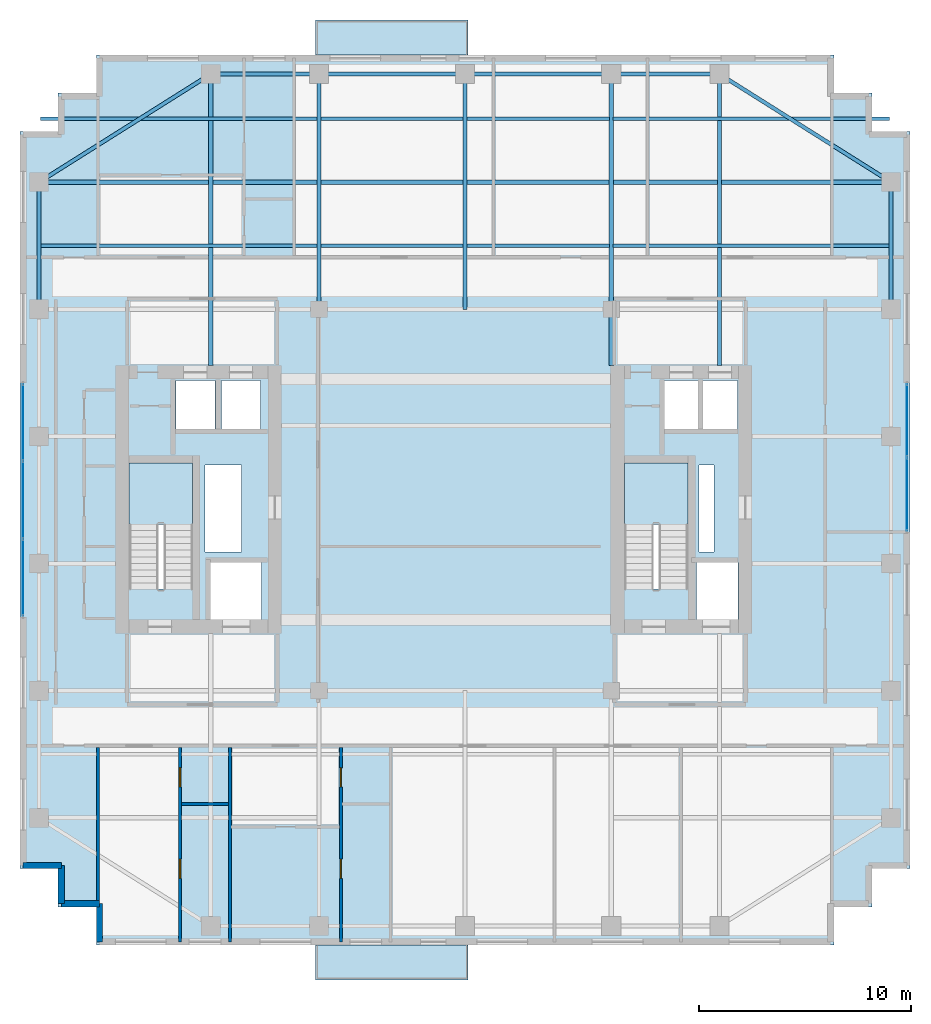
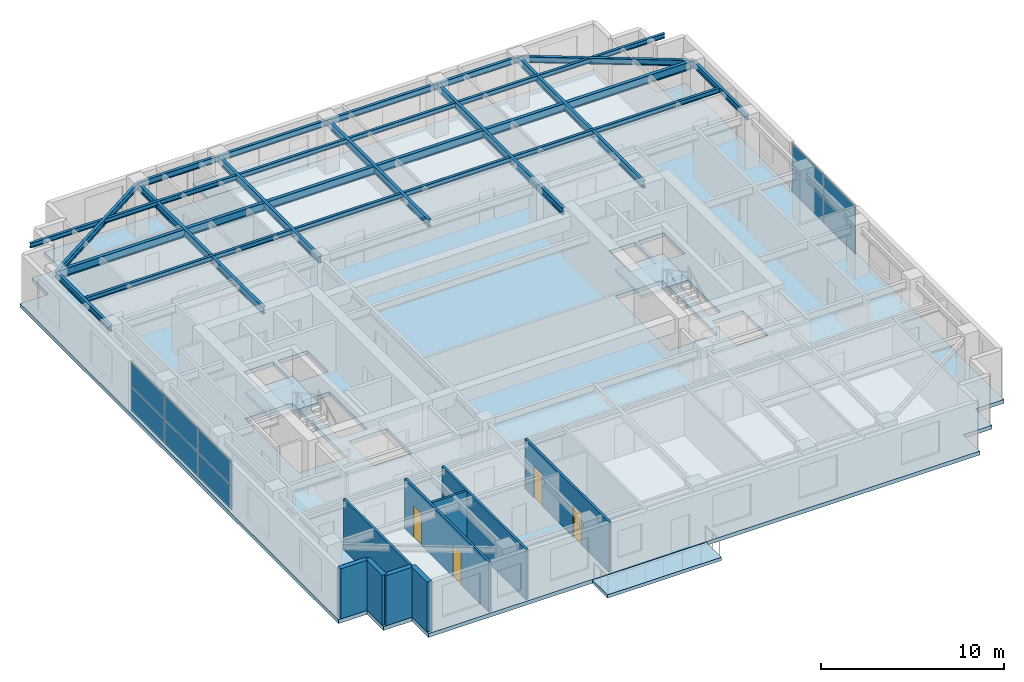
# One storey, part 8 of 15: 22 beams, 10 plates, 9 walls, 5 slabs, 4 doors, 4 openings, 4 elements without a shape of their own.
"""IFC4 building model written with IfcOpenShell, lengths in metres."""

from ifc_helpers import new_model, si_unit, direction, frame, frame_2d, origin, origin_2d, place, context, subcontext, project, spatial, polyline, rectangle, i_section, outline, extrude, source, transform, mapped, material, layer, layer_set, material_profile, profile_set, type_object, element, fill, aggregate, save


model = new_model("IFC4")

# Units and contexts
model_context = context("Model", 3, precision=1e-05, world=origin(), true_north=direction((0.0, 1.0)))
body_context = subcontext(model_context, "Body", "Model", "MODEL_VIEW")
ifc_project = project(units=[si_unit("LENGTHUNIT", "METRE"), si_unit("AREAUNIT", "SQUARE_METRE"), si_unit("VOLUMEUNIT", "CUBIC_METRE"), si_unit("PLANEANGLEUNIT", "RADIAN"), si_unit("MASSUNIT", "GRAM", prefix="KILO")], contexts=[model_context])

# Site, building, storey
site_placement = place(None, origin())
site = spatial("IfcSite", under=ifc_project, at=site_placement, CompositionType="ELEMENT")
building_placement = place(site_placement, origin())
building = spatial("IfcBuilding", under=site, at=building_placement, Name="Khoralis Quay Care Tower", CompositionType="ELEMENT")
storey_placement = place(building_placement, frame((0.0, 0.0, 162.89990234375)))
storey = spatial("IfcBuildingStorey", under=building, at=storey_placement, Name="L42", CompositionType="ELEMENT", Elevation=162.89990234375)

# Beams
ifc_material_1 = material(Name="Steel S355", Category="steel")
ifc_material_profile_1 = material_profile(ifc_material_1, i_section(OverallWidth=0.179931640625, OverallDepth=0.39990234375, WebThickness=0.008544921875, FlangeThickness=0.013427734375, FilletRadius=0.02099609375, at=origin_2d()), Name="Steel S355")
ifc_profile_set_1 = profile_set([ifc_material_profile_1], Name="Steel S355")
beam_type_1 = type_object("IfcBeamType", Name="BM-IPE400", PredefinedType="SPANDREL", material=ifc_profile_set_1)
shared_shape_1 = source(origin(), body_context, "Body", "SweptSolid", [
    extrude(i_section(OverallWidth=0.179931640625, OverallDepth=0.39990234375, WebThickness=0.008544921875, FlangeThickness=0.013427734375, FilletRadius=0.02099609375, at=origin_2d()), origin(), (0.0, 0.0, 1.0), 6.0),
])
for number, where, z_axis, x_axis, name in (
    (1, (3.89990234375, 30.0, 3.14013671875), (0.0, 1.0, 0.0), (-1.0, 0.0, 0.0), "BM-TSP-L42-13"),
    (2, (44.10009765625, 30.0, 3.14013671875), (0.0, 1.0, 0.0), (-1.0, 0.0, 0.0), "BM-TSP-L42-18"),
):
    element("IfcBeam", number, at=place(storey_placement, frame(where, z_axis=z_axis, x_axis=x_axis)), inside=storey, type_object=beam_type_1, Name=name, PredefinedType="SPANDREL", context=body_context, shape_type="MappedRepresentation", body=[
        mapped(shared_shape_1, transform((0.0, 0.0, 0.0), scale=1.0)),
    ])
shared_shape_2 = source(origin(), body_context, "Body", "SweptSolid", [
    extrude(i_section(OverallWidth=0.179931640625, OverallDepth=0.39990234375, WebThickness=0.008544921875, FlangeThickness=0.013427734375, FilletRadius=0.02099609375, at=origin_2d()), origin(), (0.0, 0.0, 1.0), 5.10009765625),
])
for number, where, z_axis, x_axis, name in (
    (3, (12.0, 41.10009765625, 3.14013671875), (1.0, 0.0, 0.0), (0.0, 1.0, 0.0), "BM-TSP-L42-05"),
    (4, (30.89990234375, 41.10009765625, 3.14013671875), (1.0, 0.0, 0.0), (0.0, 1.0, 0.0), "BM-TSP-L42-08"),
):
    element("IfcBeam", number, at=place(storey_placement, frame(where, z_axis=z_axis, x_axis=x_axis)), inside=storey, type_object=beam_type_1, Name=name, PredefinedType="SPANDREL", context=body_context, shape_type="MappedRepresentation", body=[
        mapped(shared_shape_2, transform((0.0, 0.0, 0.0), scale=1.0)),
    ])
shared_shape_3 = source(origin(), body_context, "Body", "SweptSolid", [
    extrude(i_section(OverallWidth=0.179931640625, OverallDepth=0.39990234375, WebThickness=0.008544921875, FlangeThickness=0.013427734375, FilletRadius=0.02099609375, at=origin_2d()), origin(), (0.0, 0.0, 1.0), 6.89990234375),
])
for number, where, z_axis, x_axis, name in (
    (5, (17.10009765625, 41.10009765625, 3.14013671875), (1.0, 0.0, 0.0), (0.0, 1.0, 0.0), "BM-TSP-L42-06"),
    (6, (24.0, 41.10009765625, 3.14013671875), (1.0, 0.0, 0.0), (0.0, 1.0, 0.0), "BM-TSP-L42-07"),
):
    element("IfcBeam", number, at=place(storey_placement, frame(where, z_axis=z_axis, x_axis=x_axis)), inside=storey, type_object=beam_type_1, Name=name, PredefinedType="SPANDREL", context=body_context, shape_type="MappedRepresentation", body=[
        mapped(shared_shape_3, transform((0.0, 0.0, 0.0), scale=1.0)),
    ])
shared_shape_4 = source(origin(), body_context, "Body", "SweptSolid", [
    extrude(i_section(OverallWidth=0.179931640625, OverallDepth=0.39990234375, WebThickness=0.008544921875, FlangeThickness=0.013427734375, FilletRadius=0.02099609375, at=origin_2d()), origin(), (0.0, 0.0, 1.0), 9.572021484375),
])
for number, where, z_axis, x_axis, name in (
    (7, (12.0, 41.10009765625, 3.14013671875), (-0.846231136359, -0.532815975602, 0.0), (0.532815975602, -0.846231136359, 0.0), "BM-TCR-L42-21"),
    (8, (36.0, 41.10009765625, 3.14013671875), (0.846231136359, -0.532815975602, 0.0), (0.532815975602, 0.846231136359, 0.0), "BM-TCR-L42-22"),
):
    element("IfcBeam", number, at=place(storey_placement, frame(where, z_axis=z_axis, x_axis=x_axis)), inside=storey, type_object=beam_type_1, Name=name, PredefinedType="SPANDREL", context=body_context, shape_type="MappedRepresentation", body=[
        mapped(shared_shape_4, transform((0.0, 0.0, 0.0), scale=1.0)),
    ])
ifc_material_profile_2 = material_profile(ifc_material_1, i_section(OverallWidth=0.208984375, OverallDepth=0.532958984375, WebThickness=0.01025390625, FlangeThickness=0.015625, FilletRadius=0.01611328125, at=origin_2d()), Name="Steel S355")
ifc_profile_set_2 = profile_set([ifc_material_profile_2], Name="Steel S355")
beam_type_2 = type_object("IfcBeamType", Name="BM-W530X92", PredefinedType="BEAM", material=ifc_profile_set_2)
shared_shape_5 = source(origin(), body_context, "Body", "SweptSolid", [
    extrude(i_section(OverallWidth=0.208984375, OverallDepth=0.532958984375, WebThickness=0.01025390625, FlangeThickness=0.015625, FilletRadius=0.01611328125, at=origin_2d()), origin(), (0.0, 0.0, 1.0), 13.1162109375),
])
for number, where, z_axis, x_axis, name in (
    (9, (3.89990234375, 36.0, 3.073486328125), (1.0, 0.0, 0.0), (0.0, 1.0, 0.0), "BM-TGXW-L42-360"),
    (10, (30.98388671875, 36.0, 3.073486328125), (1.0, 0.0, 0.0), (0.0, 1.0, 0.0), "BM-TGXE-L42-360"),
):
    element("IfcBeam", number, at=place(storey_placement, frame(where, z_axis=z_axis, x_axis=x_axis)), inside=storey, type_object=beam_type_2, Name=name, PredefinedType="BEAM", context=body_context, shape_type="MappedRepresentation", body=[
        mapped(shared_shape_5, transform((0.0, 0.0, 0.0), scale=1.0)),
    ])
shared_shape_6 = source(origin(), body_context, "Body", "SweptSolid", [
    extrude(i_section(OverallWidth=0.208984375, OverallDepth=0.532958984375, WebThickness=0.01025390625, FlangeThickness=0.015625, FilletRadius=0.01611328125, at=origin_2d()), origin(), (0.0, 0.0, 1.0), 13.6318359375),
])
beam_placement = place(storey_placement, frame((17.18408203125, 36.0, 3.073486328125), z_axis=(1.0, 0.0, 0.0), x_axis=(0.0, 1.0, 0.0)))
element("IfcBeam", 11, at=beam_placement, inside=storey, type_object=beam_type_2, Name="BM-TGCC-L42-360", PredefinedType="BEAM", context=body_context, shape_type="MappedRepresentation", body=[
    mapped(shared_shape_6, transform((0.0, 0.0, 0.0), scale=1.0)),
])
ifc_material_profile_3 = material_profile(ifc_material_1, i_section(OverallWidth=0.19189453125, OverallDepth=0.462890625, WebThickness=0.010498046875, FlangeThickness=0.017578125, FilletRadius=0.014892578125, at=origin_2d()), Name="Steel S355")
ifc_profile_set_3 = profile_set([ifc_material_profile_3], Name="Steel S355")
beam_type_3 = type_object("IfcBeamType", Name="BM-W460X89", PredefinedType="BEAM", material=ifc_profile_set_3)
shared_shape_7 = source(origin(), body_context, "Body", "SweptSolid", [
    extrude(i_section(OverallWidth=0.19189453125, OverallDepth=0.462890625, WebThickness=0.010498046875, FlangeThickness=0.017578125, FilletRadius=0.014892578125, at=origin_2d()), origin(), (0.0, 0.0, 1.0), 11.10009765625),
])
for number, where, z_axis, x_axis, name in (
    (12, (17.10009765625, 30.0, 3.108642578125), (0.0, 1.0, 0.0), (-1.0, 0.0, 0.0), "BM-TGYN-L42-171"),
    (13, (24.0, 30.0, 3.108642578125), (0.0, 1.0, 0.0), (-1.0, 0.0, 0.0), "BM-TGYN-L42-240"),
):
    element("IfcBeam", number, at=place(storey_placement, frame(where, z_axis=z_axis, x_axis=x_axis)), inside=storey, type_object=beam_type_3, Name=name, PredefinedType="BEAM", context=body_context, shape_type="MappedRepresentation", body=[
        mapped(shared_shape_7, transform((0.0, 0.0, 0.0), scale=1.0)),
    ])
shared_shape_8 = source(origin(), body_context, "Body", "SweptSolid", [
    extrude(i_section(OverallWidth=0.19189453125, OverallDepth=0.462890625, WebThickness=0.010498046875, FlangeThickness=0.017578125, FilletRadius=0.014892578125, at=origin_2d()), origin(), (0.0, 0.0, 1.0), 13.752197265625),
])
for number, where, z_axis, x_axis, name in (
    (14, (12.0, 27.347900390625, 3.108642578125), (0.0, 1.0, 0.0), (-1.0, 0.0, 0.0), "BM-TGYN-L42-120"),
    (15, (30.89990234375, 27.347900390625, 3.108642578125), (0.0, 1.0, 0.0), (-1.0, 0.0, 0.0), "BM-TGYN-L42-309"),
    (16, (36.0, 27.347900390625, 3.108642578125), (0.0, 1.0, 0.0), (-1.0, 0.0, 0.0), "BM-TGYN-L42-360"),
):
    element("IfcBeam", number, at=place(storey_placement, frame(where, z_axis=z_axis, x_axis=x_axis)), inside=storey, type_object=beam_type_3, Name=name, PredefinedType="BEAM", context=body_context, shape_type="MappedRepresentation", body=[
        mapped(shared_shape_8, transform((0.0, 0.0, 0.0), scale=1.0)),
    ])
ifc_material_profile_4 = material_profile(ifc_material_1, i_section(OverallWidth=0.1650390625, OverallDepth=0.31005859375, WebThickness=0.005859375, FlangeThickness=0.009765625, FilletRadius=0.011962890625, at=origin_2d()), Name="Steel S355")
ifc_profile_set_4 = profile_set([ifc_material_profile_4], Name="Steel S355")
beam_type_4 = type_object("IfcBeamType", Name="BM-W310X39", PredefinedType="JOIST", material=ifc_profile_set_4)
shared_shape_9 = source(origin(), body_context, "Body", "SweptSolid", [
    extrude(i_section(OverallWidth=0.1650390625, OverallDepth=0.31005859375, WebThickness=0.005859375, FlangeThickness=0.009765625, FilletRadius=0.011962890625, at=origin_2d()), origin(), (0.0, 0.0, 1.0), 13.0400390625),
])
for number, where, z_axis, x_axis, name in (
    (17, (3.97607421875, 33.0, 3.18505859375), (1.0, 0.0, 0.0), (0.0, 1.0, 0.0), "BM-TJS-L42-26"),
    (18, (30.98388671875, 33.0, 3.18505859375), (1.0, 0.0, 0.0), (0.0, 1.0, 0.0), "BM-TJS-L42-27"),
    (19, (3.97607421875, 39.0, 3.18505859375), (1.0, 0.0, 0.0), (0.0, 1.0, 0.0), "BM-TJS-L42-29"),
    (20, (30.98388671875, 39.0, 3.18505859375), (1.0, 0.0, 0.0), (0.0, 1.0, 0.0), "BM-TJS-L42-30"),
):
    element("IfcBeam", number, at=place(storey_placement, frame(where, z_axis=z_axis, x_axis=x_axis)), inside=storey, type_object=beam_type_4, Name=name, PredefinedType="JOIST", context=body_context, shape_type="MappedRepresentation", body=[
        mapped(shared_shape_9, transform((0.0, 0.0, 0.0), scale=1.0)),
    ])
shared_shape_10 = source(origin(), body_context, "Body", "SweptSolid", [
    extrude(i_section(OverallWidth=0.1650390625, OverallDepth=0.31005859375, WebThickness=0.005859375, FlangeThickness=0.009765625, FilletRadius=0.011962890625, at=origin_2d()), origin(), (0.0, 0.0, 1.0), 13.6318359375),
])
for number, where, z_axis, x_axis, name in (
    (21, (17.18408203125, 33.0, 3.18505859375), (1.0, 0.0, 0.0), (0.0, 1.0, 0.0), "BM-TJS-L42-28"),
    (22, (17.18408203125, 39.0, 3.18505859375), (1.0, 0.0, 0.0), (0.0, 1.0, 0.0), "BM-TJS-L42-31"),
):
    element("IfcBeam", number, at=place(storey_placement, frame(where, z_axis=z_axis, x_axis=x_axis)), inside=storey, type_object=beam_type_4, Name=name, PredefinedType="JOIST", context=body_context, shape_type="MappedRepresentation", body=[
        mapped(shared_shape_10, transform((0.0, 0.0, 0.0), scale=1.0)),
    ])

# Slabs
ifc_material_2 = material(Name="Concrete C45/55", Category="concrete")
ifc_layer_1 = layer(ifc_material_2, 0.219970703125)
ifc_layer_set_1 = layer_set([ifc_layer_1], Name="Concrete C45/55")
slab_type_1 = type_object("IfcSlabType", Name="SLB-EXT-BALC-220", PredefinedType="FLOOR", material=ifc_layer_set_1)
slab_1_placement = place(storey_placement, frame((0.0, 0.0, -0.260009765625)))
element("IfcSlab", 23, at=slab_1_placement, inside=storey, type_object=slab_type_1, Name="L42 Senior Loggia Balcony Slab P1E0", PredefinedType="FLOOR", context=body_context, shape_type="SweptSolid", body=[
    extrude(outline(polyline([(16.949951171875, -1.64990234375), (24.14990234375, -1.64990234375), (24.14990234375, 0.0), (16.949951171875, 0.0), (16.949951171875, -1.64990234375)])), origin(), (0.0, 0.0, 1.0), 0.22021484375),
])
slab_2_placement = place(storey_placement, frame((0.0, 0.0, -0.260009765625)))
element("IfcSlab", 24, at=slab_2_placement, inside=storey, type_object=slab_type_1, Name="L42 Senior Loggia Balcony Slab P1E10", PredefinedType="FLOOR", context=body_context, shape_type="SweptSolid", body=[
    extrude(outline(polyline([(16.949951171875, 42.0), (24.14990234375, 42.0), (24.14990234375, 43.64990234375), (16.949951171875, 43.64990234375), (16.949951171875, 42.0)])), origin(), (0.0, 0.0, 1.0), 0.22021484375),
])

# Stair, slab
ifc_material_3 = material(Name="Precast concrete C45/55", Category="concrete")
stair_type = type_object("IfcStairType", Name="ST-TWR-DOGLEG-1400", PredefinedType="HALF_TURN_STAIR", material=ifc_material_3)
stair_1_placement = place(storey_placement, origin())
stair_1 = element("IfcStair", 25, at=stair_1_placement, inside=storey, type_object=stair_type, Name="L42 West Core Exit Stair ST-T1", PredefinedType="HALF_TURN_STAIR")
ifc_layer_2 = layer(ifc_material_3, 0.199951171875)
ifc_layer_set_2 = layer_set([ifc_layer_2], Name="Precast concrete C45/55")
slab_type_2 = type_object("IfcSlabType", Name="SLB-LANDING-200", PredefinedType="LANDING", material=ifc_layer_set_2)
slab_3_placement = place(storey_placement, frame((0.0, 0.0, 1.60009765625)))
slab_3 = element("IfcSlab", 26, at=slab_3_placement, type_object=slab_type_2, Name="ST-T1 landing 1", PredefinedType="LANDING", context=body_context, shape_type="SweptSolid", body=[
    extrude(outline(polyline([(11.14990234375, 19.840087890625), (11.14990234375, 22.75), (8.14990234375, 22.75), (8.14990234375, 19.840087890625), (11.14990234375, 19.840087890625)])), origin(), (0.0, 0.0, 1.0), 0.199951171875),
])
aggregate(stair_1, [slab_3])

stair_2_placement = place(storey_placement, origin())
stair_2 = element("IfcStair", 27, at=stair_2_placement, inside=storey, type_object=stair_type, Name="L42 East Core Exit Stair ST-T2", PredefinedType="HALF_TURN_STAIR")
slab_4_placement = place(storey_placement, frame((0.0, 0.0, 1.60009765625)))
slab_4 = element("IfcSlab", 28, at=slab_4_placement, type_object=slab_type_2, Name="ST-T2 landing 1", PredefinedType="LANDING", context=body_context, shape_type="SweptSolid", body=[
    extrude(outline(polyline([(34.52001953125, 19.840087890625), (34.52001953125, 22.75), (31.52001953125, 22.75), (31.52001953125, 19.840087890625), (34.52001953125, 19.840087890625)])), origin(), (0.0, 0.0, 1.0), 0.199951171875),
])
aggregate(stair_2, [slab_4])

# Slab
ifc_material_4 = material(Name="Concrete C40/50", Category="concrete")
ifc_layer_3 = layer(ifc_material_4, 0.260009765625)
ifc_layer_set_3 = layer_set([ifc_layer_3], Name="Concrete C40/50")
slab_type_3 = type_object("IfcSlabType", Name="SLB-TWR-260", PredefinedType="FLOOR", material=ifc_layer_set_3)
slab_5_placement = place(storey_placement, frame((0.0, 0.0, -0.260009765625)))
element("IfcSlab", 29, at=slab_5_placement, inside=storey, type_object=slab_type_3, Name="Tower Floor Slab L42", PredefinedType="FLOOR", context=body_context, shape_type="SweptSolid", body=[
    extrude(outline(polyline([(6.60009765625, 0.0), (41.39990234375, 0.0), (41.39990234375, 1.800048828125), (43.199951171875, 1.800048828125), (43.199951171875, 3.60009765625), (45.0, 3.60009765625), (45.0, 38.39990234375), (43.199951171875, 38.39990234375), (43.199951171875, 40.199951171875), (41.39990234375, 40.199951171875), (41.39990234375, 42.0), (6.60009765625, 42.0), (6.60009765625, 40.199951171875), (4.800048828125, 40.199951171875), (4.800048828125, 38.39990234375), (3.0, 38.39990234375), (3.0, 3.60009765625), (4.800048828125, 3.60009765625), (4.800048828125, 1.800048828125), (6.60009765625, 1.800048828125), (6.60009765625, 0.0)]), holes=[polyline([(11.14990234375, 16.800048828125), (11.14990234375, 22.75), (8.14990234375, 22.75), (8.14990234375, 16.800048828125), (11.14990234375, 16.800048828125)]), polyline([(34.52001953125, 16.800048828125), (34.52001953125, 22.75), (31.52001953125, 22.75), (31.52001953125, 16.800048828125), (34.52001953125, 16.800048828125)]), polyline([(12.0, 15.35009765625), (14.39990234375, 15.35009765625), (14.39990234375, 18.050048828125), (12.0, 18.050048828125), (12.0, 15.35009765625)]), polyline([(34.919921875, 15.35009765625), (36.8798828125, 15.35009765625), (36.8798828125, 18.050048828125), (34.919921875, 18.050048828125), (34.919921875, 15.35009765625)]), polyline([(10.35009765625, 24.35009765625), (12.199951171875, 24.35009765625), (12.199951171875, 26.64990234375), (10.35009765625, 26.64990234375), (10.35009765625, 24.35009765625)]), polyline([(33.3798828125, 24.35009765625), (35.030029296875, 24.35009765625), (35.030029296875, 26.64990234375), (33.3798828125, 26.64990234375), (33.3798828125, 24.35009765625)]), polyline([(12.5, 24.35009765625), (14.35009765625, 24.35009765625), (14.35009765625, 26.64990234375), (12.5, 26.64990234375), (12.5, 24.35009765625)]), polyline([(35.199951171875, 24.35009765625), (36.85009765625, 24.35009765625), (36.85009765625, 26.64990234375), (35.199951171875, 26.64990234375), (35.199951171875, 24.35009765625)]), polyline([(11.719970703125, 18.550048828125), (13.449951171875, 18.550048828125), (13.449951171875, 22.64990234375), (11.719970703125, 22.64990234375), (11.719970703125, 18.550048828125)]), polyline([(35.050048828125, 18.550048828125), (35.75, 18.550048828125), (35.75, 22.64990234375), (35.050048828125, 22.64990234375), (35.050048828125, 18.550048828125)])]), origin(), (0.0, 0.0, 1.0), 0.260009765625),
])

# Curtain wall, plates
ifc_material_5 = material(Name="Pale anodised aluminium", Category="aluminium")
ifc_layer_4 = layer(ifc_material_5, 0.159912109375)
ifc_layer_set_4 = layer_set([ifc_layer_4], Name="Pale anodised aluminium")
curtain_wall_type = type_object("IfcCurtainWallType", Name="CW-SYS-Z3", PredefinedType="NOTDEFINED", material=ifc_layer_set_4)
curtain_wall_1_placement = place(storey_placement, origin())
curtain_wall_1 = element("IfcCurtainWall", 30, at=curtain_wall_1_placement, inside=storey, type_object=curtain_wall_type, Name="L42 Unitised Curtain Wall CW-L42-P1-E15", PredefinedType="NOTDEFINED")
ifc_material_6 = material(Name="Low-E solar-control double glazing", Category="glass")
ifc_layer_5 = layer(ifc_material_6, 0.031982421875)
ifc_layer_set_5 = layer_set([ifc_layer_5], Name="Low-E solar-control double glazing")
plate_type = type_object("IfcPlateType", Name="PNL-VIS-32", PredefinedType="CURTAIN_PANEL", material=ifc_layer_set_5)
shared_shape_11 = source(origin(), body_context, "Body", "SweptSolid", [
    extrude(rectangle(XDim=3.590087890625, YDim=0.028076171875, at=origin_2d()), origin(), (0.0, 0.0, 1.0), 1.580078125),
])
plate_1_placement = place(storey_placement, frame((3.14990234375, 24.6650390625, 0.06005859375), z_axis=(0.0, 0.0, 1.0), x_axis=(0.0, -1.0, 0.0)))
plate_1 = element("IfcPlate", 31, at=plate_1_placement, type_object=plate_type, Name="CW3 panel 1.1", PredefinedType="CURTAIN_PANEL", context=body_context, shape_type="MappedRepresentation", body=[
    mapped(shared_shape_11, transform((0.0, 0.0, 0.0), scale=1.0)),
])
plate_2_placement = place(storey_placement, frame((3.14990234375, 24.6650390625, 1.699951171875), z_axis=(0.0, 0.0, 1.0), x_axis=(0.0, -1.0, 0.0)))
plate_2 = element("IfcPlate", 32, at=plate_2_placement, type_object=plate_type, Name="CW3 panel 1.2", PredefinedType="CURTAIN_PANEL", context=body_context, shape_type="MappedRepresentation", body=[
    mapped(shared_shape_11, transform((0.0, 0.0, 0.0), scale=1.0)),
])
plate_3_placement = place(storey_placement, frame((3.14990234375, 17.3349609375, 0.06005859375), z_axis=(0.0, 0.0, 1.0), x_axis=(0.0, -1.0, 0.0)))
plate_3 = element("IfcPlate", 33, at=plate_3_placement, type_object=plate_type, Name="CW3 panel 3.1", PredefinedType="CURTAIN_PANEL", context=body_context, shape_type="MappedRepresentation", body=[
    mapped(shared_shape_11, transform((0.0, 0.0, 0.0), scale=1.0)),
])
plate_4_placement = place(storey_placement, frame((3.14990234375, 17.3349609375, 1.699951171875), z_axis=(0.0, 0.0, 1.0), x_axis=(0.0, -1.0, 0.0)))
plate_4 = element("IfcPlate", 34, at=plate_4_placement, type_object=plate_type, Name="CW3 panel 3.2", PredefinedType="CURTAIN_PANEL", context=body_context, shape_type="MappedRepresentation", body=[
    mapped(shared_shape_11, transform((0.0, 0.0, 0.0), scale=1.0)),
])
shared_shape_12 = source(origin(), body_context, "Body", "SweptSolid", [
    extrude(rectangle(XDim=3.6201171875, YDim=0.028076171875, at=origin_2d()), origin(), (0.0, 0.0, 1.0), 1.580078125),
])
plate_5_placement = place(storey_placement, frame((3.14990234375, 21.0, 0.06005859375), z_axis=(0.0, 0.0, 1.0), x_axis=(0.0, -1.0, 0.0)))
plate_5 = element("IfcPlate", 35, at=plate_5_placement, type_object=plate_type, Name="CW3 panel 2.1", PredefinedType="CURTAIN_PANEL", context=body_context, shape_type="MappedRepresentation", body=[
    mapped(shared_shape_12, transform((0.0, 0.0, 0.0), scale=1.0)),
])
plate_6_placement = place(storey_placement, frame((3.14990234375, 21.0, 1.699951171875), z_axis=(0.0, 0.0, 1.0), x_axis=(0.0, -1.0, 0.0)))
plate_6 = element("IfcPlate", 36, at=plate_6_placement, type_object=plate_type, Name="CW3 panel 2.2", PredefinedType="CURTAIN_PANEL", context=body_context, shape_type="MappedRepresentation", body=[
    mapped(shared_shape_12, transform((0.0, 0.0, 0.0), scale=1.0)),
])
aggregate(curtain_wall_1, [plate_1, plate_2, plate_5, plate_6, plate_3, plate_4])

curtain_wall_2_placement = place(storey_placement, origin())
curtain_wall_2 = element("IfcCurtainWall", 37, at=curtain_wall_2_placement, inside=storey, type_object=curtain_wall_type, Name="L42 Unitised Curtain Wall CW-L42-P1-E5", PredefinedType="NOTDEFINED")
shared_shape_13 = source(origin(), body_context, "Body", "SweptSolid", [
    extrude(rectangle(XDim=3.419921875, YDim=0.028076171875, at=origin_2d()), origin(), (0.0, 0.0, 1.0), 1.580078125),
])
plate_7_placement = place(storey_placement, frame((44.85009765625, 21.27001953125, 0.06005859375), z_axis=(0.0, 0.0, 1.0), x_axis=(0.0, 1.0, 0.0)))
plate_7 = element("IfcPlate", 38, at=plate_7_placement, type_object=plate_type, Name="CW3 panel 1.1", PredefinedType="CURTAIN_PANEL", context=body_context, shape_type="MappedRepresentation", body=[
    mapped(shared_shape_13, transform((0.0, 0.0, 0.0), scale=1.0)),
])
plate_8_placement = place(storey_placement, frame((44.85009765625, 21.27001953125, 1.699951171875), z_axis=(0.0, 0.0, 1.0), x_axis=(0.0, 1.0, 0.0)))
plate_8 = element("IfcPlate", 39, at=plate_8_placement, type_object=plate_type, Name="CW3 panel 1.2", PredefinedType="CURTAIN_PANEL", context=body_context, shape_type="MappedRepresentation", body=[
    mapped(shared_shape_13, transform((0.0, 0.0, 0.0), scale=1.0)),
])
plate_9_placement = place(storey_placement, frame((44.85009765625, 24.75, 0.06005859375), z_axis=(0.0, 0.0, 1.0), x_axis=(0.0, 1.0, 0.0)))
plate_9 = element("IfcPlate", 40, at=plate_9_placement, type_object=plate_type, Name="CW3 panel 2.1", PredefinedType="CURTAIN_PANEL", context=body_context, shape_type="MappedRepresentation", body=[
    mapped(shared_shape_13, transform((0.0, 0.0, 0.0), scale=1.0)),
])
plate_10_placement = place(storey_placement, frame((44.85009765625, 24.75, 1.699951171875), z_axis=(0.0, 0.0, 1.0), x_axis=(0.0, 1.0, 0.0)))
plate_10 = element("IfcPlate", 41, at=plate_10_placement, type_object=plate_type, Name="CW3 panel 2.2", PredefinedType="CURTAIN_PANEL", context=body_context, shape_type="MappedRepresentation", body=[
    mapped(shared_shape_13, transform((0.0, 0.0, 0.0), scale=1.0)),
])
aggregate(curtain_wall_2, [plate_7, plate_8, plate_9, plate_10])

# Walls
ifc_layer_6 = layer(ifc_material_3, 0.300048828125)
ifc_layer_set_6 = layer_set([ifc_layer_6], Name="Precast concrete C45/55")
wall_type_1 = type_object("IfcWallType", Name="WL-EXT-REF-300", PredefinedType="SOLIDWALL", material=ifc_layer_set_6)
for number, where, z_axis, x_axis, name in (
    (42, (3.14990234375, 3.75, 0.0), (0.0, 0.0, 1.0), (1.0, 0.0, 0.0), "L42 External Facade Wall WL-EXT-L42-P1-C16"),
    (43, (4.949951171875, 3.75, 0.0), (0.0, 0.0, 1.0), (0.0, -1.0, 0.0), "L42 External Facade Wall WL-EXT-L42-P1-C17"),
    (44, (4.949951171875, 1.949951171875, 0.0), (0.0, 0.0, 1.0), (1.0, 0.0, 0.0), "L42 External Facade Wall WL-EXT-L42-P1-C18"),
    (45, (6.75, 1.949951171875, 0.0), (0.0, 0.0, 1.0), (0.0, -1.0, 0.0), "L42 External Facade Wall WL-EXT-L42-P1-C19"),
):
    element("IfcWall", number, at=place(storey_placement, frame(where, z_axis=z_axis, x_axis=x_axis)), inside=storey, type_object=wall_type_1, Name=name, PredefinedType="SOLIDWALL", context=body_context, shape_type="SweptSolid", body=[
        extrude(rectangle(XDim=1.800048828125, YDim=0.300048828125, at=frame_2d((0.89990234375, 0.0))), origin(), (0.0, 0.0, 1.0), 3.340087890625),
    ])

# Wall, openings, doors
ifc_material_7 = material(Name="Moisture-resistant gypsum and ceramic tile")
ifc_layer_7 = layer(ifc_material_7, 0.280029296875)
ifc_layer_set_7 = layer_set([ifc_layer_7], Name="Moisture-resistant gypsum and ceramic tile")
wall_type_2 = type_object("IfcWallType", Name="WL-PLUMB-280", PredefinedType="PLUMBINGWALL", material=ifc_layer_set_7)
wall_1_placement = place(storey_placement, frame((10.550048828125, 0.14501953125, 0.0), z_axis=(0.0, 0.0, 1.0), x_axis=(0.0, 1.0, 0.0)))
wall_1 = element("IfcWall", 46, at=wall_1_placement, inside=storey, type_object=wall_type_2, Name="L42 Care Suite 0 En-Suite Wall V", PredefinedType="PLUMBINGWALL", context=body_context, shape_type="SweptSolid", body=[
    extrude(rectangle(XDim=9.177490234375, YDim=0.139892578125, at=frame_2d((4.5888671875, 0.0))), origin(), (0.0, 0.0, 1.0), 3.340087890625),
])
opening_1_placement = place(wall_1_placement, frame((7.31494140625, 0.0, 0.0)))
opening_1 = element("IfcOpeningElement", 47, at=opening_1_placement, cuts=wall_1, Name="Opening WD1", PredefinedType="OPENING", context=body_context, shape_type="SweptSolid", body=[
    extrude(rectangle(XDim=0.89990234375, YDim=2.10009765625, at=frame_2d((0.449951171875, 1.050048828125))), frame((0.0, 0.080078125, 0.0), z_axis=(0.0, -1.0, 0.0), x_axis=(1.0, 0.0, 0.0)), (0.0, 0.0, 1.0), 0.159912109375),
])
opening_2_placement = place(wall_1_placement, frame((3.0048828125, 0.0, 0.0)))
opening_2 = element("IfcOpeningElement", 48, at=opening_2_placement, cuts=wall_1, Name="Opening WD1", PredefinedType="OPENING", context=body_context, shape_type="SweptSolid", body=[
    extrude(rectangle(XDim=0.89990234375, YDim=2.10009765625, at=frame_2d((0.449951171875, 1.050048828125))), frame((0.0, 0.080078125, 0.0), z_axis=(0.0, -1.0, 0.0), x_axis=(1.0, 0.0, 0.0)), (0.0, 0.0, 1.0), 0.159912109375),
])
ifc_material_8 = material(Name="Acoustic hardwood timber", Category="wood")
door_type = type_object("IfcDoorType", Name="DR-BATH-900X2100", OperationType="NOTDEFINED", PredefinedType="DOOR", material=ifc_material_8)
shared_shape_14 = source(origin(), body_context, "Body", "SweptSolid", [
    extrude(rectangle(XDim=0.89990234375, YDim=2.10009765625, at=frame_2d((0.449951171875, 1.050048828125))), frame((0.0, 0.02490234375, 0.0), z_axis=(0.0, -1.0, 0.0), x_axis=(1.0, 0.0, 0.0)), (0.0, 0.0, 1.0), 0.050048828125),
])
door_1_placement = place(opening_1_placement, frame((0.89990234375, 0.0, 0.0), z_axis=(0.0, 0.0, 1.0), x_axis=(-1.0, 0.0, 0.0)))
door_1 = element("IfcDoor", 49, at=door_1_placement, inside=storey, type_object=door_type, Name="L42 Care CENS Door", OperationType="SINGLE_SWING_LEFT", OverallHeight=2.10009765625, OverallWidth=0.89990234375, PredefinedType="DOOR", context=body_context, shape_type="MappedRepresentation", body=[
    mapped(shared_shape_14, transform((0.0, 0.0, 0.0), scale=1.0)),
])
fill(opening_1, door_1)
door_2_placement = place(opening_2_placement, frame((0.89990234375, 0.0, 0.0), z_axis=(0.0, 0.0, 1.0), x_axis=(-1.0, 0.0, 0.0)))
door_2 = element("IfcDoor", 50, at=door_2_placement, inside=storey, type_object=door_type, Name="L42 Care CSIT Door", OperationType="SINGLE_SWING_RIGHT", OverallHeight=2.10009765625, OverallWidth=0.89990234375, PredefinedType="DOOR", context=body_context, shape_type="MappedRepresentation", body=[
    mapped(shared_shape_14, transform((0.0, 0.0, 0.0), scale=1.0)),
])
fill(opening_2, door_2)

# Wall
wall_2_placement = place(storey_placement, frame((10.614990234375, 6.64990234375, 0.0), z_axis=(0.0, 0.0, 1.0), x_axis=(1.0, 0.0, 0.0)))
element("IfcWall", 51, at=wall_2_placement, inside=storey, type_object=wall_type_2, Name="L42 Care Suite 0 En-Suite Wall H", PredefinedType="PLUMBINGWALL", context=body_context, shape_type="SweptSolid", body=[
    extrude(rectangle(XDim=2.219970703125, YDim=0.139892578125, at=frame_2d((1.10986328125, 0.0))), origin(), (0.0, 0.0, 1.0), 3.340087890625),
])

# Wall, openings, doors
wall_3_placement = place(storey_placement, frame((18.139892578125, 0.14501953125, 0.0), z_axis=(0.0, 0.0, 1.0), x_axis=(0.0, 1.0, 0.0)))
wall_3 = element("IfcWall", 52, at=wall_3_placement, inside=storey, type_object=wall_type_2, Name="L42 Care Suite 1 En-Suite Wall V", PredefinedType="PLUMBINGWALL", context=body_context, shape_type="SweptSolid", body=[
    extrude(rectangle(XDim=9.177490234375, YDim=0.139892578125, at=frame_2d((4.5888671875, 0.0))), origin(), (0.0, 0.0, 1.0), 3.340087890625),
])
opening_3_placement = place(wall_3_placement, frame((7.31494140625, 0.0, 0.0)))
opening_3 = element("IfcOpeningElement", 53, at=opening_3_placement, cuts=wall_3, Name="Opening WD1", PredefinedType="OPENING", context=body_context, shape_type="SweptSolid", body=[
    extrude(rectangle(XDim=0.89990234375, YDim=2.10009765625, at=frame_2d((0.449951171875, 1.050048828125))), frame((0.0, 0.080078125, 0.0), z_axis=(0.0, -1.0, 0.0), x_axis=(1.0, 0.0, 0.0)), (0.0, 0.0, 1.0), 0.159912109375),
])
opening_4_placement = place(wall_3_placement, frame((3.0048828125, 0.0, 0.0)))
opening_4 = element("IfcOpeningElement", 54, at=opening_4_placement, cuts=wall_3, Name="Opening WD1", PredefinedType="OPENING", context=body_context, shape_type="SweptSolid", body=[
    extrude(rectangle(XDim=0.89990234375, YDim=2.10009765625, at=frame_2d((0.449951171875, 1.050048828125))), frame((0.0, 0.080078125, 0.0), z_axis=(0.0, -1.0, 0.0), x_axis=(1.0, 0.0, 0.0)), (0.0, 0.0, 1.0), 0.159912109375),
])
door_3_placement = place(opening_3_placement, frame((0.89990234375, 0.0, 0.0), z_axis=(0.0, 0.0, 1.0), x_axis=(-1.0, 0.0, 0.0)))
door_3 = element("IfcDoor", 55, at=door_3_placement, inside=storey, type_object=door_type, Name="L42 Care CENS Door", OperationType="SINGLE_SWING_RIGHT", OverallHeight=2.10009765625, OverallWidth=0.89990234375, PredefinedType="DOOR", context=body_context, shape_type="MappedRepresentation", body=[
    mapped(shared_shape_14, transform((0.0, 0.0, 0.0), scale=1.0)),
])
fill(opening_3, door_3)
door_4_placement = place(opening_4_placement, frame((0.89990234375, 0.0, 0.0), z_axis=(0.0, 0.0, 1.0), x_axis=(-1.0, 0.0, 0.0)))
door_4 = element("IfcDoor", 56, at=door_4_placement, inside=storey, type_object=door_type, Name="L42 Care CSIT Door", OperationType="SINGLE_SWING_LEFT", OverallHeight=2.10009765625, OverallWidth=0.89990234375, PredefinedType="DOOR", context=body_context, shape_type="MappedRepresentation", body=[
    mapped(shared_shape_14, transform((0.0, 0.0, 0.0), scale=1.0)),
])
fill(opening_4, door_4)

# Walls
ifc_material_9 = material(Name="Gypsum plasterboard on acoustic metal stud")
ifc_layer_8 = layer(ifc_material_9, 0.139892578125)
ifc_layer_set_8 = layer_set([ifc_layer_8], Name="Gypsum plasterboard on acoustic metal stud")
wall_type_3 = type_object("IfcWallType", Name="WL-UNIT-140", PredefinedType="PARTITIONING", material=ifc_layer_set_8)
wall_4_placement = place(storey_placement, frame((6.679931640625, 1.945068359375, 0.0), z_axis=(0.0, 0.0, 1.0), x_axis=(0.0, 1.0, 0.0)))
element("IfcWall", 57, at=wall_4_placement, inside=storey, type_object=wall_type_3, Name="L42 SB Demising Wall 0", PredefinedType="PARTITIONING", context=body_context, shape_type="SweptSolid", body=[
    extrude(rectangle(XDim=7.37744140625, YDim=0.139892578125, at=frame_2d((3.688720703125, 0.0))), origin(), (0.0, 0.0, 1.0), 3.340087890625),
])
wall_5_placement = place(storey_placement, frame((12.89990234375, 0.14501953125, 0.0), z_axis=(0.0, 0.0, 1.0), x_axis=(0.0, 1.0, 0.0)))
element("IfcWall", 58, at=wall_5_placement, inside=storey, type_object=wall_type_3, Name="L42 SB Demising Wall 1", PredefinedType="PARTITIONING", context=body_context, shape_type="SweptSolid", body=[
    extrude(rectangle(XDim=9.177490234375, YDim=0.139892578125, at=frame_2d((4.5888671875, 0.0))), origin(), (0.0, 0.0, 1.0), 3.340087890625),
])

save(model, "model.ifc")
